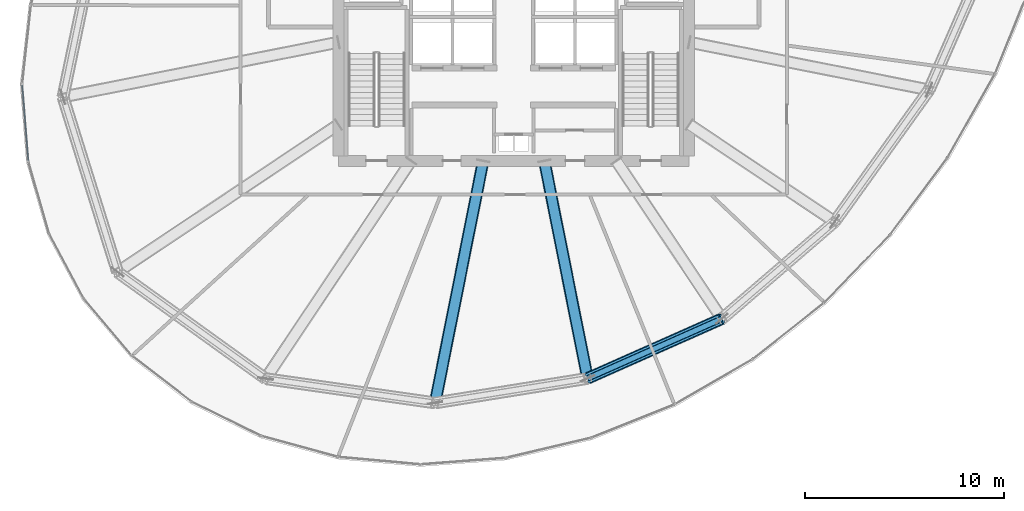
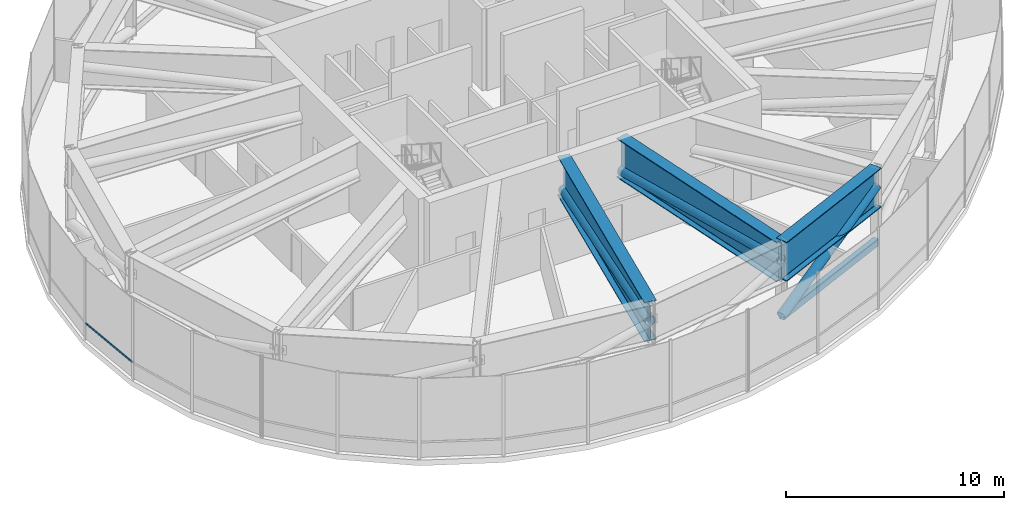
# One storey, part 8 of 30: 5 members, 3 beams, 1 element without a shape of its own.
"""IFC4 building model written with IfcOpenShell, lengths in metres."""

from ifc_helpers import new_model, si_unit, direction, frame, origin, origin_2d, place, context, subcontext, project, spatial, hollow_rectangle, hollow_circle, i_section, extrude, source, transform, mapped, material, layer, layer_set, material_profile, profile_set, type_object, element, aggregate, save


model = new_model("IFC4")

# Units and contexts
model_context = context("Model", 3, precision=1e-05, world=origin(), true_north=direction((0.0, 1.0)))
body_context = subcontext(model_context, "Body", "Model", "MODEL_VIEW")
ifc_project = project(units=[si_unit("LENGTHUNIT", "METRE"), si_unit("AREAUNIT", "SQUARE_METRE"), si_unit("VOLUMEUNIT", "CUBIC_METRE"), si_unit("PLANEANGLEUNIT", "RADIAN"), si_unit("MASSUNIT", "GRAM", prefix="KILO"), si_unit("THERMODYNAMICTEMPERATUREUNIT", "KELVIN")], contexts=[model_context])

# Site, building, storey
site_placement = place(None, origin())
site = spatial("IfcSite", under=ifc_project, at=site_placement, CompositionType="ELEMENT")
building_placement = place(site_placement, origin())
building = spatial("IfcBuilding", under=site, at=building_placement, Name="Kethvar Cultural Tower", CompositionType="ELEMENT")
storey_placement = place(building_placement, frame((0.0, 0.0, 171.39990234375)))
storey = spatial("IfcBuildingStorey", under=building, at=storey_placement, Name="L44", CompositionType="ELEMENT", Elevation=171.39990234375)

# Beam
ifc_material_1 = material(Name="Steel S460M", Category="steel")
ifc_material_profile_1 = material_profile(ifc_material_1, i_section(OverallWidth=0.60009765625, OverallDepth=2.199951171875, WebThickness=0.028076171875, FlangeThickness=0.044921875, FilletRadius=0.02197265625, at=origin_2d()), Name="Steel S460M — PG2200x600x45x28")
ifc_profile_set_1 = profile_set([ifc_material_profile_1], Name="Steel S460M — PG2200x600x45x28")
beam_type = type_object("IfcBeamType", Name="BM-TR2200", PredefinedType="BEAM", material=ifc_profile_set_1)
shared_shape_1 = source(origin(), body_context, "Body", "SweptSolid", [
    extrude(i_section(OverallWidth=0.60009765625, OverallDepth=2.199951171875, WebThickness=0.028076171875, FlangeThickness=0.044921875, FilletRadius=0.02197265625, at=origin_2d()), origin(), (0.0, 0.0, 1.0), 12.384521484375),
])
beam_1_placement = place(storey_placement, frame((45.268310546875, 20.10009765625, 3.47802734375), z_axis=(-0.195084858678, -0.980786367113, 0.0), x_axis=(0.980786367113, -0.195084858678, 0.0)))
element("IfcBeam", 1, at=beam_1_placement, inside=storey, type_object=beam_type, Name="L44 Outrigger Transfer Girder OG-12", PredefinedType="BEAM", context=body_context, shape_type="MappedRepresentation", body=[
    mapped(shared_shape_1, transform((0.0, 0.0, 0.0), scale=1.0)),
])

# Member
ifc_material_profile_2 = material_profile(ifc_material_1, hollow_circle(Radius=0.25390625, WallThickness=0.02001953125, at=origin_2d()), Name="Steel S460M — CHS508x20")
ifc_profile_set_2 = profile_set([ifc_material_profile_2], Name="Steel S460M — CHS508x20")
member_type_1 = type_object("IfcMemberType", Name="MB-OUT-508", PredefinedType="BRACE", material=ifc_profile_set_2)
shared_shape_2 = source(origin(), body_context, "Body", "SweptSolid", [
    extrude(hollow_circle(Radius=0.25390625, WallThickness=0.02001953125, at=origin_2d()), origin(), (0.0, 0.0, 1.0), 12.412109375),
])
member_1_placement = place(storey_placement, frame((45.268310546875, 20.10009765625, 2.650146484375), z_axis=(-0.194650424167, -0.978602253756, 0.06669963504), x_axis=(0.980786367113, -0.195084858678, 0.0)))
element("IfcMember", 2, at=member_1_placement, inside=storey, type_object=member_type_1, Name="L44 Outrigger Truss Diagonal OB-12", PredefinedType="BRACE", context=body_context, shape_type="MappedRepresentation", body=[
    mapped(shared_shape_2, transform((0.0, 0.0, 0.0), scale=1.0)),
])

# Beam
shared_shape_3 = source(origin(), body_context, "Body", "SweptSolid", [
    extrude(i_section(OverallWidth=0.60009765625, OverallDepth=2.199951171875, WebThickness=0.028076171875, FlangeThickness=0.044921875, FilletRadius=0.02197265625, at=origin_2d()), origin(), (0.0, 0.0, 1.0), 11.131591796875),
])
beam_2_placement = place(storey_placement, frame((48.33154296875, 20.10009765625, 3.47802734375), z_axis=(0.195107998266, -0.980781764213, 0.0), x_axis=(0.980781764213, 0.195107998266, 0.0)))
element("IfcBeam", 3, at=beam_2_placement, inside=storey, type_object=beam_type, Name="L44 Outrigger Transfer Girder OG-13", PredefinedType="BEAM", context=body_context, shape_type="MappedRepresentation", body=[
    mapped(shared_shape_3, transform((0.0, 0.0, 0.0), scale=1.0)),
])

# Member
shared_shape_4 = source(origin(), body_context, "Body", "SweptSolid", [
    extrude(hollow_circle(Radius=0.25390625, WallThickness=0.02001953125, at=origin_2d()), origin(), (0.0, 0.0, 1.0), 11.162353515625),
])
member_2_placement = place(storey_placement, frame((48.33154296875, 20.10009765625, 2.650146484375), z_axis=(0.19457063968, -0.978080534604, 0.074166933358), x_axis=(0.980781764213, 0.195107998266, 0.0)))
element("IfcMember", 4, at=member_2_placement, inside=storey, type_object=member_type_1, Name="L44 Outrigger Truss Diagonal OB-13", PredefinedType="BRACE", context=body_context, shape_type="MappedRepresentation", body=[
    mapped(shared_shape_4, transform((0.0, 0.0, 0.0), scale=1.0)),
])

# Beam
shared_shape_5 = source(origin(), body_context, "Body", "SweptSolid", [
    extrude(i_section(OverallWidth=0.60009765625, OverallDepth=2.199951171875, WebThickness=0.028076171875, FlangeThickness=0.044921875, FilletRadius=0.02197265625, at=origin_2d()), origin(), (0.0, 0.0, 1.0), 7.3720703125),
])
beam_3_placement = place(storey_placement, frame((50.50341796875, 9.182373046875, 3.47802734375), z_axis=(0.914058560918, 0.405582232367, 0.0), x_axis=(-0.405582232367, 0.914058560918, 0.0)))
element("IfcBeam", 5, at=beam_3_placement, inside=storey, type_object=beam_type, Name="L44 Ring Belt Girder BG-13", PredefinedType="BEAM", context=body_context, shape_type="MappedRepresentation", body=[
    mapped(shared_shape_5, transform((0.0, 0.0, 0.0), scale=1.0)),
])

# Members
ifc_material_profile_3 = material_profile(ifc_material_1, hollow_rectangle(XDim=0.300048828125, YDim=0.39990234375, WallThickness=0.01611328125, InnerFilletRadius=0.01611328125, OuterFilletRadius=0.031982421875, at=origin_2d()), Name="Steel S460M — RHS400x300x16")
ifc_profile_set_3 = profile_set([ifc_material_profile_3], Name="Steel S460M — RHS400x300x16")
member_type_2 = type_object("IfcMemberType", Name="MB-CHD-400", PredefinedType="CHORD", material=ifc_profile_set_3)
shared_shape_6 = source(origin(), body_context, "Body", "SweptSolid", [
    extrude(hollow_rectangle(XDim=0.300048828125, YDim=0.39990234375, WallThickness=0.01611328125, InnerFilletRadius=0.01611328125, OuterFilletRadius=0.031982421875, at=origin_2d()), origin(), (0.0, 0.0, 1.0), 7.3720703125),
])
member_3_placement = place(storey_placement, frame((50.50341796875, 9.182373046875, 0.35009765625), z_axis=(0.914058560918, 0.405582232367, 0.0), x_axis=(-0.405582232367, 0.914058560918, 0.0)))
element("IfcMember", 6, at=member_3_placement, inside=storey, type_object=member_type_2, Name="L44 Ring Belt Bottom Chord BC-13", PredefinedType="CHORD", context=body_context, shape_type="MappedRepresentation", body=[
    mapped(shared_shape_6, transform((0.0, 0.0, 0.0), scale=1.0)),
])
shared_shape_7 = source(origin(), body_context, "Body", "SweptSolid", [
    extrude(hollow_circle(Radius=0.25390625, WallThickness=0.02001953125, at=origin_2d()), origin(), (0.0, 0.0, 1.0), 8.00830078125),
])
member_4_placement = place(storey_placement, frame((50.50341796875, 9.182373046875, 0.35009765625), z_axis=(0.841450278521, 0.37336478972, 0.390589506482), x_axis=(-0.405582232367, 0.914058560918, 0.0)))
element("IfcMember", 7, at=member_4_placement, inside=storey, type_object=member_type_1, Name="L44 Ring Belt Diagonal BD-13", PredefinedType="BRACE", context=body_context, shape_type="MappedRepresentation", body=[
    mapped(shared_shape_7, transform((0.0, 0.0, 0.0), scale=1.0)),
])

# Curtain wall, member
ifc_material_2 = material(Name="Aluminium 6063-T6", Category="aluminium")
ifc_layer = layer(ifc_material_2, 0.179931640625, Name="Aluminium 6063-T6", Category="aluminium")
ifc_layer_set = layer_set([ifc_layer], Name="Aluminium 6063-T6 (180 mm)")
curtain_wall_type = type_object("IfcCurtainWallType", Name="CW-SYS-04-Z34", PredefinedType="NOTDEFINED", material=ifc_layer_set)
curtain_wall_placement = place(storey_placement, origin())
curtain_wall = element("IfcCurtainWall", 8, at=curtain_wall_placement, inside=storey, type_object=curtain_wall_type, Name="L44 Curtain Wall Run 03", PredefinedType="NOTDEFINED")
ifc_material_profile_4 = material_profile(ifc_material_2, hollow_rectangle(XDim=0.050048828125, YDim=0.10009765625, WallThickness=0.00390625, at=origin_2d()), Name="Aluminium 6063-T6 — RHS100x50x4")
ifc_profile_set_4 = profile_set([ifc_material_profile_4], Name="Aluminium 6063-T6 — RHS100x50x4")
member_type_3 = type_object("IfcMemberType", Name="CW-SYS-04-Z34-TRN", PredefinedType="USERDEFINED", material=ifc_profile_set_4)
shared_shape_8 = source(origin(), body_context, "Body", "SweptSolid", [
    extrude(hollow_rectangle(XDim=0.050048828125, YDim=0.10009765625, WallThickness=0.00390625, at=origin_2d()), origin(), (0.0, 0.0, 1.0), 3.8125),
])
member_5_placement = place(storey_placement, frame((22.141357421875, 23.89892578125, 0.9501953125), z_axis=(0.079600141644, -0.996826874362, 0.0), x_axis=(0.996826874362, 0.079600141644, 0.0)))
member_5 = element("IfcMember", 9, at=member_5_placement, type_object=member_type_3, Name="CW-L44-R03 Transom 4", ObjectType="TRANSOM", PredefinedType="USERDEFINED", context=body_context, shape_type="MappedRepresentation", body=[
    mapped(shared_shape_8, transform((0.0, 0.0, 0.0), scale=1.0)),
])
aggregate(curtain_wall, [member_5])

save(model, "model.ifc")
